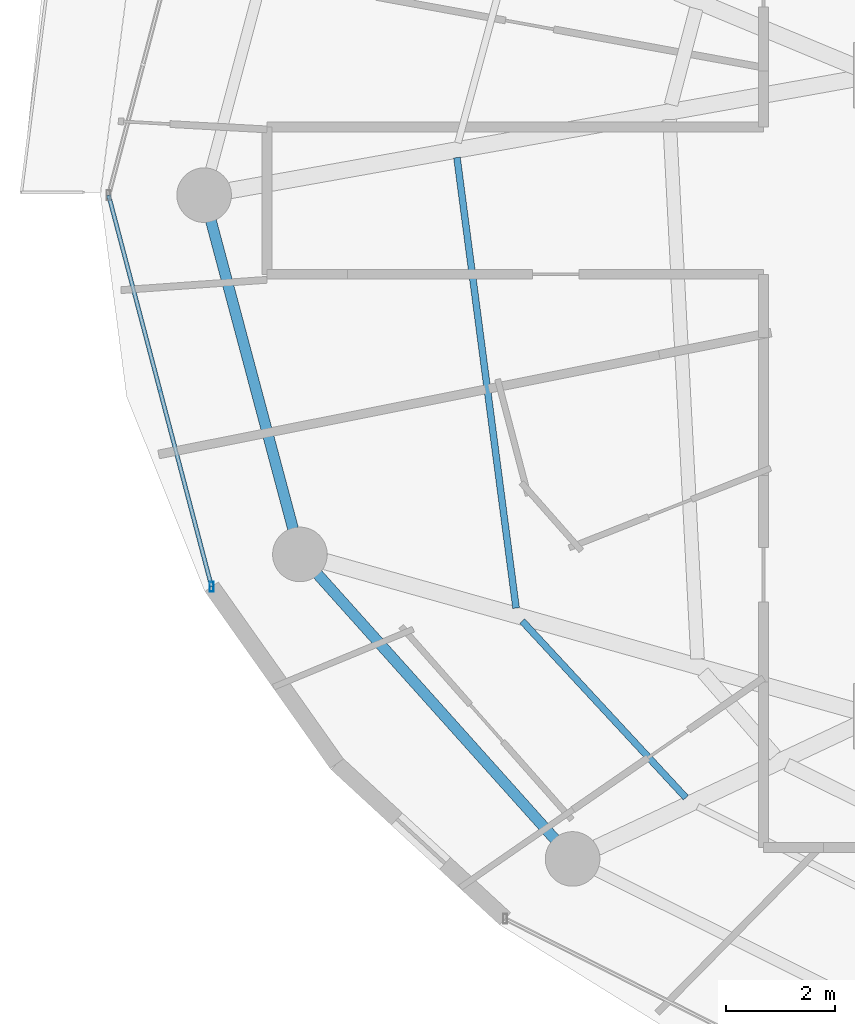
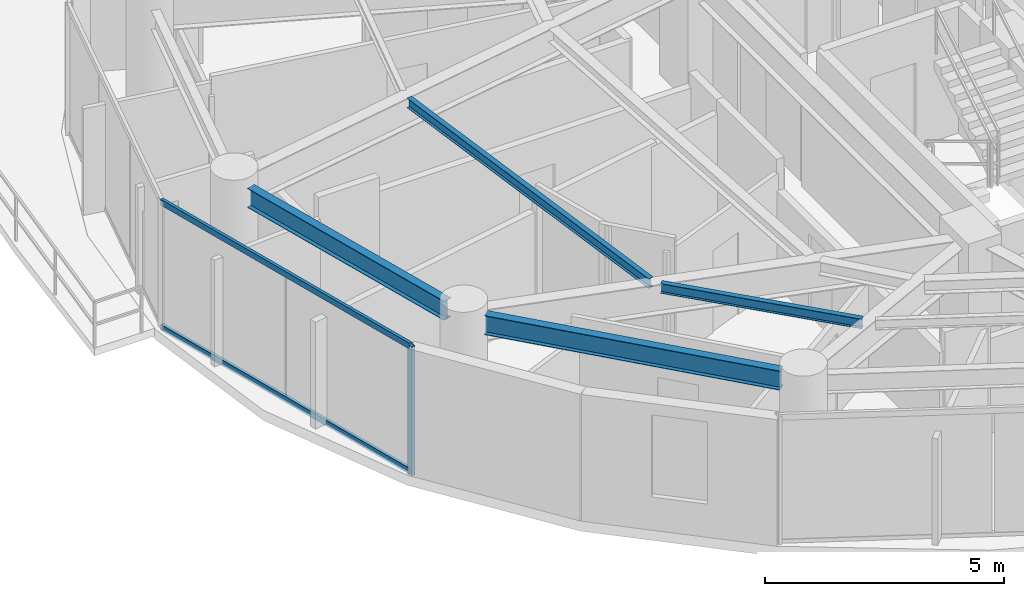
# One storey, part 3 of 30: 4 beams, 3 members, 1 element without a shape of its own.
"""IFC4 building model written with IfcOpenShell, lengths in metres."""

from ifc_helpers import new_model, si_unit, direction, frame, origin, origin_2d, place, context, subcontext, project, spatial, hollow_rectangle, i_section, extrude, material, material_profile, profile_set, type_object, element, aggregate, save


model = new_model("IFC4")

# Units and contexts
model_context = context("Model", 3, precision=1e-05, world=origin(), true_north=direction((0.0, 1.0)))
body_context = subcontext(model_context, "Body", "Model", "MODEL_VIEW")
ifc_project = project(units=[si_unit("LENGTHUNIT", "METRE"), si_unit("AREAUNIT", "SQUARE_METRE"), si_unit("VOLUMEUNIT", "CUBIC_METRE"), si_unit("PLANEANGLEUNIT", "RADIAN"), si_unit("MASSUNIT", "GRAM", prefix="KILO")], contexts=[model_context])

# Site, building, storey
site_placement = place(None, origin())
site = spatial("IfcSite", under=ifc_project, at=site_placement, CompositionType="ELEMENT")
building_placement = place(site_placement, origin())
building = spatial("IfcBuilding", under=site, at=building_placement, Name="Vorneva Point Tower", CompositionType="ELEMENT")
storey_placement = place(building_placement, frame((0.0, 0.0, 153.60009765625)))
storey = spatial("IfcBuildingStorey", under=building, at=storey_placement, Name="L41", CompositionType="ELEMENT", Elevation=153.60009765625)

# Beams
ifc_material_1 = material(Name="Steel S355", Category="steel")
ifc_material_profile_1 = material_profile(ifc_material_1, i_section(OverallWidth=0.1240234375, OverallDepth=0.248046875, WebThickness=0.0048828125, FlangeThickness=0.008056640625, at=origin_2d()), Name="25B1")
ifc_profile_set_1 = profile_set([ifc_material_profile_1], Name="Steel S355")
beam_type_1 = type_object("IfcBeamType", Name="BM-JST-25B1", PredefinedType="JOIST", material=ifc_profile_set_1)
beam_1_placement = place(storey_placement, frame((19.5830078125, 26.688720703125, 3.115966796875), z_axis=(0.130067594858, -0.991505128967, 0.0), x_axis=(0.991505128967, 0.130067594858, 0.0)))
element("IfcBeam", 1, at=beam_1_placement, inside=storey, type_object=beam_type_1, Name="L41 Secondary Floor Beam 1.09", PredefinedType="JOIST", context=body_context, shape_type="SweptSolid", body=[
    extrude(i_section(OverallWidth=0.1240234375, OverallDepth=0.248046875, WebThickness=0.0048828125, FlangeThickness=0.008056640625, at=origin_2d()), origin(), (0.0, 0.0, 1.0), 8.32470703125),
])
beam_2_placement = place(storey_placement, frame((20.777587890625, 18.19677734375, 3.115966796875), z_axis=(0.679705864684, -0.733484790241, 0.0), x_axis=(0.733484790241, 0.679705864684, 0.0)))
element("IfcBeam", 2, at=beam_2_placement, inside=storey, type_object=beam_type_1, Name="L41 Secondary Floor Beam 1.10", PredefinedType="JOIST", context=body_context, shape_type="SweptSolid", body=[
    extrude(i_section(OverallWidth=0.1240234375, OverallDepth=0.248046875, WebThickness=0.0048828125, FlangeThickness=0.008056640625, at=origin_2d()), origin(), (0.0, 0.0, 1.0), 4.41259765625),
])
ifc_material_profile_2 = material_profile(ifc_material_1, i_section(OverallWidth=0.199951171875, OverallDepth=0.491943359375, WebThickness=0.0087890625, FlangeThickness=0.011962890625, at=origin_2d()), Name="50B1")
ifc_profile_set_2 = profile_set([ifc_material_profile_2], Name="Steel S355")
beam_type_2 = type_object("IfcBeamType", Name="BM-SPN-50B1", PredefinedType="SPANDREL", material=ifc_profile_set_2)
beam_3_placement = place(storey_placement, frame((15.074951171875, 25.531494140625, 2.993896484375), z_axis=(0.257550804648, -0.966264758245, 0.0), x_axis=(0.966264758245, 0.257550804648, 0.0)))
element("IfcBeam", 3, at=beam_3_placement, inside=storey, type_object=beam_type_2, Name="L41 Perimeter Spandrel Ring Beam 09", PredefinedType="SPANDREL", context=body_context, shape_type="SweptSolid", body=[
    extrude(i_section(OverallWidth=0.199951171875, OverallDepth=0.491943359375, WebThickness=0.0087890625, FlangeThickness=0.011962890625, at=origin_2d()), origin(), (0.0, 0.0, 1.0), 5.842041015625),
])
beam_4_placement = place(storey_placement, frame((17.028076171875, 19.056396484375, 2.993896484375), z_axis=(0.667111118975, -0.74495822362, 0.0), x_axis=(0.74495822362, 0.667111118975, 0.0)))
element("IfcBeam", 4, at=beam_4_placement, inside=storey, type_object=beam_type_2, Name="L41 Perimeter Spandrel Ring Beam 10", PredefinedType="SPANDREL", context=body_context, shape_type="SweptSolid", body=[
    extrude(i_section(OverallWidth=0.199951171875, OverallDepth=0.491943359375, WebThickness=0.0087890625, FlangeThickness=0.011962890625, at=origin_2d()), origin(), (0.0, 0.0, 1.0), 6.52001953125),
])

# Curtain wall, members
ifc_material_2 = material(Name="Pale anodised aluminium", Category="aluminium")
curtain_wall_type = type_object("IfcCurtainWallType", Name="CW-RES-SYS", PredefinedType="NOTDEFINED", material=ifc_material_2)
curtain_wall_placement = place(storey_placement, origin())
curtain_wall = element("IfcCurtainWall", 5, at=curtain_wall_placement, inside=storey, type_object=curtain_wall_type, Name="L41 Unitised Curtain Wall CW-L41-R03", PredefinedType="NOTDEFINED")
ifc_material_profile_3 = material_profile(ifc_material_2, hollow_rectangle(XDim=0.074951171875, YDim=0.179931640625, WallThickness=0.00390625, at=origin_2d()), Name="AL-MUL 180x75x4")
ifc_profile_set_3 = profile_set([ifc_material_profile_3], Name="Pale anodised aluminium")
member_type_1 = type_object("IfcMemberType", Name="CW-MUL-180", PredefinedType="MULLION", material=ifc_profile_set_3)
member_1_placement = place(storey_placement, frame((15.087890625, 18.82470703125, -0.0400390625), z_axis=(0.0, 0.0, 1.0), x_axis=(1.0, 0.0, 0.0)))
member_1 = element("IfcMember", 6, at=member_1_placement, type_object=member_type_1, Name="CW-L41-R03 Mullion 05", PredefinedType="MULLION", context=body_context, shape_type="SweptSolid", body=[
    extrude(hollow_rectangle(XDim=0.074951171875, YDim=0.179931640625, WallThickness=0.00390625, at=origin_2d()), origin(), (0.0, 0.0, 1.0), 3.31005859375),
])
ifc_material_profile_4 = material_profile(ifc_material_2, hollow_rectangle(XDim=0.074951171875, YDim=0.14990234375, WallThickness=0.00390625, at=origin_2d()), Name="AL-TRN 150x75x4")
ifc_profile_set_4 = profile_set([ifc_material_profile_4], Name="Pale anodised aluminium")
member_type_2 = type_object("IfcMemberType", Name="CW-TRN-150", PredefinedType="USERDEFINED", material=ifc_profile_set_4)
member_2_placement = place(storey_placement, frame((13.199951171875, 26.0, 0.02001953125), z_axis=(0.254456046293, -0.967084339913, 0.0), x_axis=(0.967084339913, 0.254456046293, 0.0)))
member_2 = element("IfcMember", 7, at=member_2_placement, type_object=member_type_2, Name="CW-L41-R03 Transom 04.1", ObjectType="TRANSOM", PredefinedType="USERDEFINED", context=body_context, shape_type="SweptSolid", body=[
    extrude(hollow_rectangle(XDim=0.074951171875, YDim=0.14990234375, WallThickness=0.00390625, at=origin_2d()), origin(), (0.0, 0.0, 1.0), 7.41943359375),
])
member_3_placement = place(storey_placement, frame((13.199951171875, 26.0, 3.219970703125), z_axis=(0.254456046293, -0.967084339913, 0.0), x_axis=(0.967084339913, 0.254456046293, 0.0)))
member_3 = element("IfcMember", 8, at=member_3_placement, type_object=member_type_2, Name="CW-L41-R03 Transom 04.2", ObjectType="TRANSOM", PredefinedType="USERDEFINED", context=body_context, shape_type="SweptSolid", body=[
    extrude(hollow_rectangle(XDim=0.074951171875, YDim=0.14990234375, WallThickness=0.00390625, at=origin_2d()), origin(), (0.0, 0.0, 1.0), 7.41943359375),
])
aggregate(curtain_wall, [member_1, member_2, member_3])

save(model, "model.ifc")
